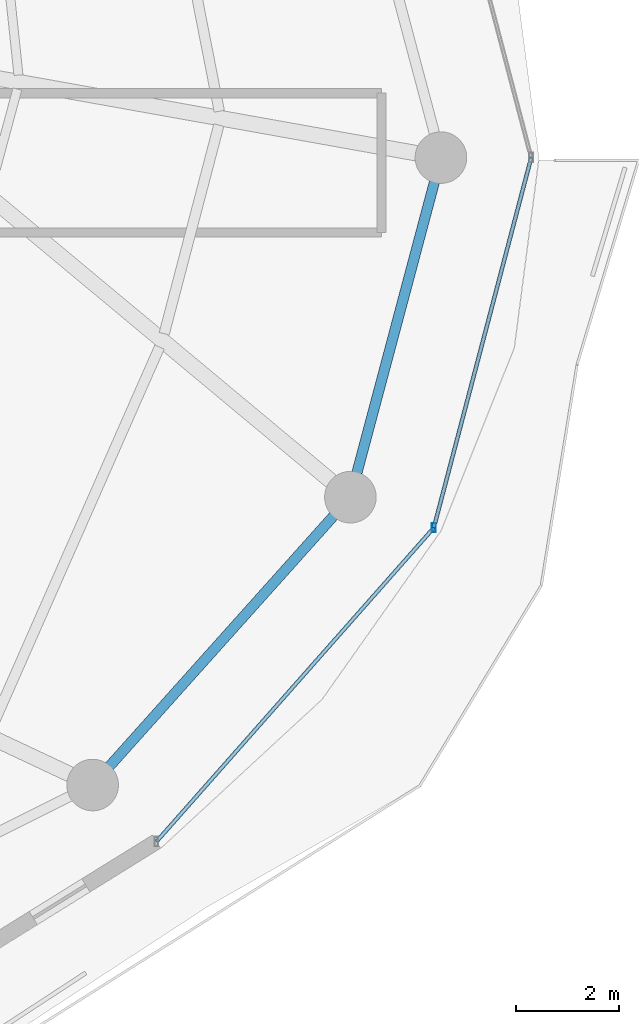
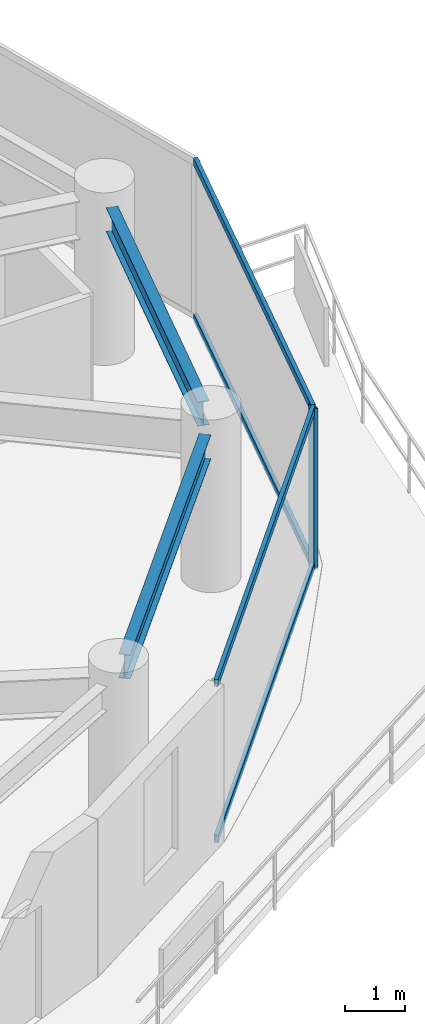
# One storey, part 13 of 29: 5 members, 2 beams, 1 element without a shape of its own.
"""IFC4 building model written with IfcOpenShell, lengths in metres."""

from ifc_helpers import new_model, si_unit, direction, frame, origin, origin_2d, place, context, subcontext, project, spatial, hollow_rectangle, i_section, extrude, material, material_profile, profile_set, type_object, element, aggregate, save


model = new_model("IFC4")

# Units and contexts
model_context = context("Model", 3, precision=1e-05, world=origin(), true_north=direction((0.0, 1.0)))
body_context = subcontext(model_context, "Body", "Model", "MODEL_VIEW")
ifc_project = project(units=[si_unit("LENGTHUNIT", "METRE"), si_unit("AREAUNIT", "SQUARE_METRE"), si_unit("VOLUMEUNIT", "CUBIC_METRE"), si_unit("PLANEANGLEUNIT", "RADIAN"), si_unit("MASSUNIT", "GRAM", prefix="KILO")], contexts=[model_context])

# Site, building, storey
site_placement = place(None, origin())
site = spatial("IfcSite", under=ifc_project, at=site_placement, CompositionType="ELEMENT")
building_placement = place(site_placement, origin())
building = spatial("IfcBuilding", under=site, at=building_placement, Name="Vorneva Point Tower", CompositionType="ELEMENT")
storey_placement = place(building_placement, frame((0.0, 0.0, 171.10009765625)))
storey = spatial("IfcBuildingStorey", under=building, at=storey_placement, Name="L46", CompositionType="ELEMENT", Elevation=171.10009765625)

# Beams
ifc_material_1 = material(Name="Steel S355", Category="steel")
ifc_material_profile_1 = material_profile(ifc_material_1, i_section(OverallWidth=0.199951171875, OverallDepth=0.491943359375, WebThickness=0.0087890625, FlangeThickness=0.011962890625, at=origin_2d()), Name="50B1")
ifc_profile_set_1 = profile_set([ifc_material_profile_1], Name="Steel S355")
beam_type = type_object("IfcBeamType", Name="BM-SPN-50B1", PredefinedType="SPANDREL", material=ifc_profile_set_1)
beam_1_placement = place(storey_placement, frame((54.622314453125, 14.19921875, 2.953857421875), z_axis=(0.667111118975, 0.74495822362, 0.0), x_axis=(-0.74495822362, 0.667111118975, 0.0)))
element("IfcBeam", 1, at=beam_1_placement, inside=storey, type_object=beam_type, Name="L46 Perimeter Spandrel Ring Beam 15", PredefinedType="SPANDREL", context=body_context, shape_type="SweptSolid", body=[
    extrude(i_section(OverallWidth=0.199951171875, OverallDepth=0.491943359375, WebThickness=0.0087890625, FlangeThickness=0.011962890625, at=origin_2d()), origin(), (0.0, 0.0, 1.0), 6.52001953125),
])
beam_2_placement = place(storey_placement, frame((59.42041015625, 19.886474609375, 2.953857421875), z_axis=(0.257550804648, 0.966264758245, 0.0), x_axis=(-0.966264758245, 0.257550804648, 0.0)))
element("IfcBeam", 2, at=beam_2_placement, inside=storey, type_object=beam_type, Name="L46 Perimeter Spandrel Ring Beam 16", PredefinedType="SPANDREL", context=body_context, shape_type="SweptSolid", body=[
    extrude(i_section(OverallWidth=0.199951171875, OverallDepth=0.491943359375, WebThickness=0.0087890625, FlangeThickness=0.011962890625, at=origin_2d()), origin(), (0.0, 0.0, 1.0), 5.842041015625),
])

# Curtain wall, members
ifc_material_2 = material(Name="Pale anodised aluminium", Category="aluminium")
curtain_wall_type = type_object("IfcCurtainWallType", Name="CW-RES-SYS", PredefinedType="NOTDEFINED", material=ifc_material_2)
curtain_wall_placement = place(storey_placement, origin())
curtain_wall = element("IfcCurtainWall", 3, at=curtain_wall_placement, inside=storey, type_object=curtain_wall_type, Name="L46 Unitised Curtain Wall CW-L46-R01", PredefinedType="NOTDEFINED")
ifc_material_profile_2 = material_profile(ifc_material_2, hollow_rectangle(XDim=0.074951171875, YDim=0.179931640625, WallThickness=0.00390625, at=origin_2d()), Name="AL-MUL 180x75x4")
ifc_profile_set_2 = profile_set([ifc_material_profile_2], Name="Pale anodised aluminium")
member_type_1 = type_object("IfcMemberType", Name="CW-MUL-180", PredefinedType="MULLION", material=ifc_profile_set_2)
member_1_placement = place(storey_placement, frame((60.912109375, 18.82470703125, -0.0400390625), z_axis=(0.0, 0.0, 1.0), x_axis=(1.0, 0.0, 0.0)))
member_1 = element("IfcMember", 4, at=member_1_placement, type_object=member_type_1, Name="CW-L46-R01 Mullion 02", PredefinedType="MULLION", context=body_context, shape_type="SweptSolid", body=[
    extrude(hollow_rectangle(XDim=0.074951171875, YDim=0.179931640625, WallThickness=0.00390625, at=origin_2d()), origin(), (0.0, 0.0, 1.0), 3.27001953125),
])
ifc_material_profile_3 = material_profile(ifc_material_2, hollow_rectangle(XDim=0.074951171875, YDim=0.14990234375, WallThickness=0.00390625, at=origin_2d()), Name="AL-TRN 150x75x4")
ifc_profile_set_3 = profile_set([ifc_material_profile_3], Name="Pale anodised aluminium")
member_type_2 = type_object("IfcMemberType", Name="CW-TRN-150", PredefinedType="USERDEFINED", material=ifc_profile_set_3)
member_2_placement = place(storey_placement, frame((55.5361328125, 12.74169921875, 0.02001953125), z_axis=(0.662218216609, 0.749311039283, 0.0), x_axis=(-0.749311039283, 0.662218216609, 0.0)))
member_2 = element("IfcMember", 5, at=member_2_placement, type_object=member_type_2, Name="CW-L46-R01 Transom 01.1", ObjectType="TRANSOM", PredefinedType="USERDEFINED", context=body_context, shape_type="SweptSolid", body=[
    extrude(hollow_rectangle(XDim=0.074951171875, YDim=0.14990234375, WallThickness=0.00390625, at=origin_2d()), origin(), (0.0, 0.0, 1.0), 8.1181640625),
])
member_3_placement = place(storey_placement, frame((55.5361328125, 12.74169921875, 3.179931640625), z_axis=(0.662218216609, 0.749311039283, 0.0), x_axis=(-0.749311039283, 0.662218216609, 0.0)))
member_3 = element("IfcMember", 6, at=member_3_placement, type_object=member_type_2, Name="CW-L46-R01 Transom 01.2", ObjectType="TRANSOM", PredefinedType="USERDEFINED", context=body_context, shape_type="SweptSolid", body=[
    extrude(hollow_rectangle(XDim=0.074951171875, YDim=0.14990234375, WallThickness=0.00390625, at=origin_2d()), origin(), (0.0, 0.0, 1.0), 8.1181640625),
])
member_4_placement = place(storey_placement, frame((60.912109375, 18.82470703125, 0.02001953125), z_axis=(0.254456046293, 0.967084339913, 0.0), x_axis=(-0.967084339913, 0.254456046293, 0.0)))
member_4 = element("IfcMember", 7, at=member_4_placement, type_object=member_type_2, Name="CW-L46-R01 Transom 02.1", ObjectType="TRANSOM", PredefinedType="USERDEFINED", context=body_context, shape_type="SweptSolid", body=[
    extrude(hollow_rectangle(XDim=0.074951171875, YDim=0.14990234375, WallThickness=0.00390625, at=origin_2d()), origin(), (0.0, 0.0, 1.0), 7.41943359375),
])
member_5_placement = place(storey_placement, frame((60.912109375, 18.82470703125, 3.179931640625), z_axis=(0.254456046293, 0.967084339913, 0.0), x_axis=(-0.967084339913, 0.254456046293, 0.0)))
member_5 = element("IfcMember", 8, at=member_5_placement, type_object=member_type_2, Name="CW-L46-R01 Transom 02.2", ObjectType="TRANSOM", PredefinedType="USERDEFINED", context=body_context, shape_type="SweptSolid", body=[
    extrude(hollow_rectangle(XDim=0.074951171875, YDim=0.14990234375, WallThickness=0.00390625, at=origin_2d()), origin(), (0.0, 0.0, 1.0), 7.41943359375),
])
aggregate(curtain_wall, [member_1, member_2, member_3, member_4, member_5])

save(model, "model.ifc")
